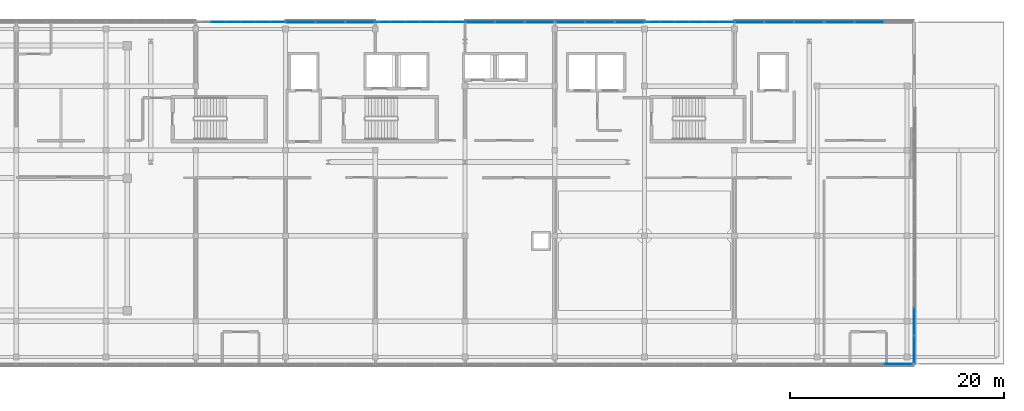
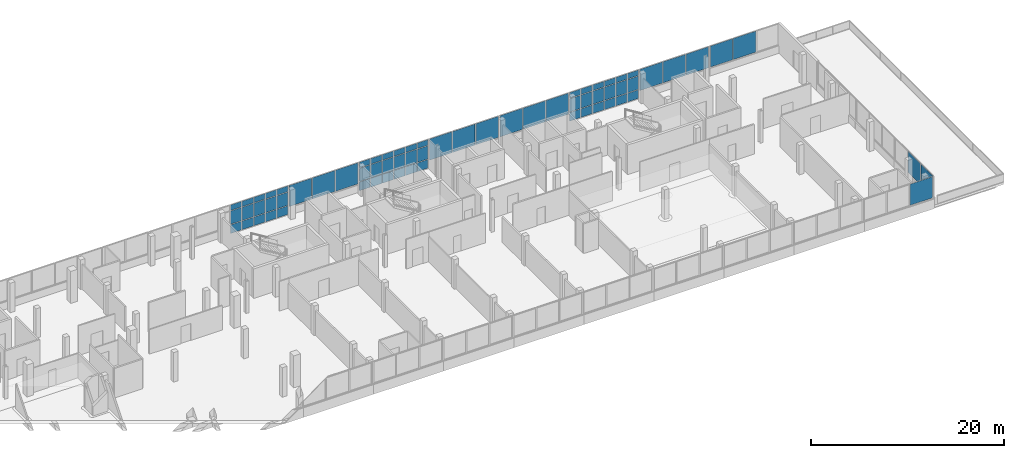
# One storey, part 54 of 67: 68 plates, 10 elements without a shape of their own.
"""IFC4 building model written with IfcOpenShell, lengths in metres."""

from ifc_helpers import new_model, si_unit, direction, frame, origin, origin_2d, place, context, subcontext, project, spatial, rectangle, extrude, material, layer, layer_set, type_object, element, aggregate, save


model = new_model("IFC4")

# Units and contexts
model_context = context("Model", 3, precision=1e-05, world=origin(), true_north=direction((0.0, 1.0)))
body_context = subcontext(model_context, "Body", "Model", "MODEL_VIEW")
ifc_project = project(units=[si_unit("LENGTHUNIT", "METRE"), si_unit("AREAUNIT", "SQUARE_METRE"), si_unit("VOLUMEUNIT", "CUBIC_METRE"), si_unit("PLANEANGLEUNIT", "RADIAN"), si_unit("MASSUNIT", "GRAM", prefix="KILO")], contexts=[model_context])

# Site, building, storey
site_placement = place(None, origin())
site = spatial("IfcSite", under=ifc_project, at=site_placement, CompositionType="ELEMENT")
building_placement = place(site_placement, origin())
building = spatial("IfcBuilding", under=site, at=building_placement, Name="Selatvlak General Hospital", CompositionType="ELEMENT")
storey_placement = place(building_placement, frame((0.0, 0.0, 35.39990234375)))
storey = spatial("IfcBuildingStorey", under=building, at=storey_placement, Name="L08", CompositionType="ELEMENT", Elevation=35.39990234375)

# Curtain wall, plates
ifc_material = material(Name="Solar-control Low-E double glazing", Category="glass")
curtain_wall_type_1 = type_object("IfcCurtainWallType", Name="CW-CW-04", PredefinedType="USERDEFINED", material=ifc_material)
curtain_wall_1_placement = place(storey_placement, origin())
curtain_wall_1 = element("IfcCurtainWall", 1, at=curtain_wall_1_placement, inside=storey, type_object=curtain_wall_type_1, Name="Glazed facade curtain wall CW-L08-0690", ObjectType="STICK GLAZING WALL", PredefinedType="USERDEFINED")
ifc_layer = layer(ifc_material, 0.028076171875, Name="Solar-control Low-E double glazing", Category="glass")
ifc_layer_set = layer_set([ifc_layer], Name="Solar-control Low-E double glazing")
plate_type = type_object("IfcPlateType", Name="CWP-01", PredefinedType="CURTAIN_PANEL", material=ifc_layer_set)
plate_1_placement = place(storey_placement, frame((92.107177734375, 119.999267578125, 0.065185546875), z_axis=(0.0, 0.0, 1.0), x_axis=(0.999999992861, 0.000119488591, 0.0)))
plate_1 = element("IfcPlate", 2, at=plate_1_placement, type_object=plate_type, Name="CW-04 panel 2.1", PredefinedType="CURTAIN_PANEL", context=body_context, shape_type="SweptSolid", body=[
    extrude(rectangle(XDim=1.329833984375, YDim=0.028076171875, at=origin_2d()), origin(), (0.0, 0.0, 1.0), 1.1025390625),
])
plate_2_placement = place(storey_placement, frame((92.107177734375, 119.999267578125, 1.232421875), z_axis=(0.0, 0.0, 1.0), x_axis=(0.999999992861, 0.000119488591, 0.0)))
plate_2 = element("IfcPlate", 3, at=plate_2_placement, type_object=plate_type, Name="CW-04 panel 2.2", PredefinedType="CURTAIN_PANEL", context=body_context, shape_type="SweptSolid", body=[
    extrude(rectangle(XDim=1.329833984375, YDim=0.028076171875, at=origin_2d()), origin(), (0.0, 0.0, 1.0), 1.675048828125),
])
plate_3_placement = place(storey_placement, frame((92.107177734375, 119.999267578125, 2.97265625), z_axis=(0.0, 0.0, 1.0), x_axis=(0.999999992861, 0.000119488591, 0.0)))
plate_3 = element("IfcPlate", 4, at=plate_3_placement, type_object=plate_type, Name="CW-04 panel 2.3", PredefinedType="CURTAIN_PANEL", context=body_context, shape_type="SweptSolid", body=[
    extrude(rectangle(XDim=1.329833984375, YDim=0.028076171875, at=origin_2d()), origin(), (0.0, 0.0, 1.0), 0.702392578125),
])
plate_4_placement = place(storey_placement, frame((93.502197265625, 119.99951171875, 0.065185546875), z_axis=(0.0, 0.0, 1.0), x_axis=(0.999999992861, 0.000119488591, 0.0)))
plate_4 = element("IfcPlate", 5, at=plate_4_placement, type_object=plate_type, Name="CW-04 panel 3.1", PredefinedType="CURTAIN_PANEL", context=body_context, shape_type="SweptSolid", body=[
    extrude(rectangle(XDim=1.329833984375, YDim=0.028076171875, at=origin_2d()), origin(), (0.0, 0.0, 1.0), 1.1025390625),
])
plate_5_placement = place(storey_placement, frame((93.502197265625, 119.99951171875, 1.232421875), z_axis=(0.0, 0.0, 1.0), x_axis=(0.999999992861, 0.000119488591, 0.0)))
plate_5 = element("IfcPlate", 6, at=plate_5_placement, type_object=plate_type, Name="CW-04 panel 3.2", PredefinedType="CURTAIN_PANEL", context=body_context, shape_type="SweptSolid", body=[
    extrude(rectangle(XDim=1.329833984375, YDim=0.028076171875, at=origin_2d()), origin(), (0.0, 0.0, 1.0), 1.675048828125),
])
plate_6_placement = place(storey_placement, frame((93.502197265625, 119.99951171875, 2.97265625), z_axis=(0.0, 0.0, 1.0), x_axis=(0.999999992861, 0.000119488591, 0.0)))
plate_6 = element("IfcPlate", 7, at=plate_6_placement, type_object=plate_type, Name="CW-04 panel 3.3", PredefinedType="CURTAIN_PANEL", context=body_context, shape_type="SweptSolid", body=[
    extrude(rectangle(XDim=1.329833984375, YDim=0.028076171875, at=origin_2d()), origin(), (0.0, 0.0, 1.0), 0.702392578125),
])
plate_7_placement = place(storey_placement, frame((94.89697265625, 119.99951171875, 0.065185546875), z_axis=(0.0, 0.0, 1.0), x_axis=(0.999999992861, 0.000119488591, 0.0)))
plate_7 = element("IfcPlate", 8, at=plate_7_placement, type_object=plate_type, Name="CW-04 panel 4.1", PredefinedType="CURTAIN_PANEL", context=body_context, shape_type="SweptSolid", body=[
    extrude(rectangle(XDim=1.329833984375, YDim=0.028076171875, at=origin_2d()), origin(), (0.0, 0.0, 1.0), 1.1025390625),
])
plate_8_placement = place(storey_placement, frame((94.89697265625, 119.99951171875, 1.232421875), z_axis=(0.0, 0.0, 1.0), x_axis=(0.999999992861, 0.000119488591, 0.0)))
plate_8 = element("IfcPlate", 9, at=plate_8_placement, type_object=plate_type, Name="CW-04 panel 4.2", PredefinedType="CURTAIN_PANEL", context=body_context, shape_type="SweptSolid", body=[
    extrude(rectangle(XDim=1.329833984375, YDim=0.028076171875, at=origin_2d()), origin(), (0.0, 0.0, 1.0), 1.675048828125),
])
plate_9_placement = place(storey_placement, frame((94.89697265625, 119.99951171875, 2.97265625), z_axis=(0.0, 0.0, 1.0), x_axis=(0.999999992861, 0.000119488591, 0.0)))
plate_9 = element("IfcPlate", 10, at=plate_9_placement, type_object=plate_type, Name="CW-04 panel 4.3", PredefinedType="CURTAIN_PANEL", context=body_context, shape_type="SweptSolid", body=[
    extrude(rectangle(XDim=1.329833984375, YDim=0.028076171875, at=origin_2d()), origin(), (0.0, 0.0, 1.0), 0.702392578125),
])
plate_10_placement = place(storey_placement, frame((96.291748046875, 119.999755859375, 0.065185546875), z_axis=(0.0, 0.0, 1.0), x_axis=(0.999999992861, 0.000119488591, 0.0)))
plate_10 = element("IfcPlate", 11, at=plate_10_placement, type_object=plate_type, Name="CW-04 panel 5.1", PredefinedType="CURTAIN_PANEL", context=body_context, shape_type="SweptSolid", body=[
    extrude(rectangle(XDim=1.329833984375, YDim=0.028076171875, at=origin_2d()), origin(), (0.0, 0.0, 1.0), 1.1025390625),
])
plate_11_placement = place(storey_placement, frame((96.291748046875, 119.999755859375, 1.232421875), z_axis=(0.0, 0.0, 1.0), x_axis=(0.999999992861, 0.000119488591, 0.0)))
plate_11 = element("IfcPlate", 12, at=plate_11_placement, type_object=plate_type, Name="CW-04 panel 5.2", PredefinedType="CURTAIN_PANEL", context=body_context, shape_type="SweptSolid", body=[
    extrude(rectangle(XDim=1.329833984375, YDim=0.028076171875, at=origin_2d()), origin(), (0.0, 0.0, 1.0), 1.675048828125),
])
plate_12_placement = place(storey_placement, frame((96.291748046875, 119.999755859375, 2.97265625), z_axis=(0.0, 0.0, 1.0), x_axis=(0.999999992861, 0.000119488591, 0.0)))
plate_12 = element("IfcPlate", 13, at=plate_12_placement, type_object=plate_type, Name="CW-04 panel 5.3", PredefinedType="CURTAIN_PANEL", context=body_context, shape_type="SweptSolid", body=[
    extrude(rectangle(XDim=1.329833984375, YDim=0.028076171875, at=origin_2d()), origin(), (0.0, 0.0, 1.0), 0.702392578125),
])
plate_13_placement = place(storey_placement, frame((97.67041015625, 120.0, 0.065185546875), z_axis=(0.0, 0.0, 1.0), x_axis=(0.999999992861, 0.000119488591, 0.0)))
plate_13 = element("IfcPlate", 14, at=plate_13_placement, type_object=plate_type, Name="CW-04 panel 6.1", PredefinedType="CURTAIN_PANEL", context=body_context, shape_type="SweptSolid", body=[
    extrude(rectangle(XDim=1.29736328125, YDim=0.028076171875, at=origin_2d()), origin(), (0.0, 0.0, 1.0), 1.1025390625),
])
plate_14_placement = place(storey_placement, frame((97.67041015625, 120.0, 1.232421875), z_axis=(0.0, 0.0, 1.0), x_axis=(0.999999992861, 0.000119488591, 0.0)))
plate_14 = element("IfcPlate", 15, at=plate_14_placement, type_object=plate_type, Name="CW-04 panel 6.2", PredefinedType="CURTAIN_PANEL", context=body_context, shape_type="SweptSolid", body=[
    extrude(rectangle(XDim=1.29736328125, YDim=0.028076171875, at=origin_2d()), origin(), (0.0, 0.0, 1.0), 1.675048828125),
])
plate_15_placement = place(storey_placement, frame((97.67041015625, 120.0, 2.97265625), z_axis=(0.0, 0.0, 1.0), x_axis=(0.999999992861, 0.000119488591, 0.0)))
plate_15 = element("IfcPlate", 16, at=plate_15_placement, type_object=plate_type, Name="CW-04 panel 6.3", PredefinedType="CURTAIN_PANEL", context=body_context, shape_type="SweptSolid", body=[
    extrude(rectangle(XDim=1.29736328125, YDim=0.028076171875, at=origin_2d()), origin(), (0.0, 0.0, 1.0), 0.702392578125),
])
aggregate(curtain_wall_1, [plate_1, plate_2, plate_3, plate_4, plate_5, plate_6, plate_7, plate_8, plate_9, plate_10, plate_11, plate_12, plate_13, plate_14, plate_15])

curtain_wall_type_2 = type_object("IfcCurtainWallType", Name="CW-CW-02", PredefinedType="USERDEFINED", material=ifc_material)
curtain_wall_2_placement = place(storey_placement, origin())
curtain_wall_2 = element("IfcCurtainWall", 17, at=curtain_wall_2_placement, inside=storey, type_object=curtain_wall_type_2, Name="Glazed facade curtain wall CW-L08-0691", ObjectType="UNITISED CURTAIN WALL", PredefinedType="USERDEFINED")
plate_16_placement = place(storey_placement, frame((99.8251953125, 120.0, 1.005126953125), z_axis=(0.0, 0.0, 1.0), x_axis=(1.0, 0.0, 0.0)))
plate_16 = element("IfcPlate", 18, at=plate_16_placement, type_object=plate_type, Name="CW-02 panel 1.1", PredefinedType="CURTAIN_PANEL", context=body_context, shape_type="SweptSolid", body=[
    extrude(rectangle(XDim=2.6923828125, YDim=0.028076171875, at=origin_2d()), origin(), (0.0, 0.0, 1.0), 2.669921875),
])
plate_17_placement = place(storey_placement, frame((102.59912109375, 120.0, 1.005126953125), z_axis=(0.0, 0.0, 1.0), x_axis=(1.0, 0.0, 0.0)))
plate_17 = element("IfcPlate", 19, at=plate_17_placement, type_object=plate_type, Name="CW-02 panel 2.1", PredefinedType="CURTAIN_PANEL", context=body_context, shape_type="SweptSolid", body=[
    extrude(rectangle(XDim=2.72509765625, YDim=0.028076171875, at=origin_2d()), origin(), (0.0, 0.0, 1.0), 2.669921875),
])
plate_18_placement = place(storey_placement, frame((105.372802734375, 120.0, 1.005126953125), z_axis=(0.0, 0.0, 1.0), x_axis=(1.0, 0.0, 0.0)))
plate_18 = element("IfcPlate", 20, at=plate_18_placement, type_object=plate_type, Name="CW-02 panel 3.1", PredefinedType="CURTAIN_PANEL", context=body_context, shape_type="SweptSolid", body=[
    extrude(rectangle(XDim=2.6923828125, YDim=0.028076171875, at=origin_2d()), origin(), (0.0, 0.0, 1.0), 2.669921875),
])
aggregate(curtain_wall_2, [plate_16, plate_17, plate_18])

curtain_wall_3_placement = place(storey_placement, origin())
curtain_wall_3 = element("IfcCurtainWall", 21, at=curtain_wall_3_placement, inside=storey, type_object=curtain_wall_type_1, Name="Glazed facade curtain wall CW-L08-0692", ObjectType="STICK GLAZING WALL", PredefinedType="USERDEFINED")
plate_19_placement = place(storey_placement, frame((107.52783203125, 120.0, 0.065185546875), z_axis=(0.0, 0.0, 1.0), x_axis=(1.0, 0.0, 0.0)))
plate_19 = element("IfcPlate", 22, at=plate_19_placement, type_object=plate_type, Name="CW-04 panel 1.1", PredefinedType="CURTAIN_PANEL", context=body_context, shape_type="SweptSolid", body=[
    extrude(rectangle(XDim=1.297607421875, YDim=0.028076171875, at=origin_2d()), origin(), (0.0, 0.0, 1.0), 1.1025390625),
])
plate_20_placement = place(storey_placement, frame((107.52783203125, 120.0, 1.232421875), z_axis=(0.0, 0.0, 1.0), x_axis=(1.0, 0.0, 0.0)))
plate_20 = element("IfcPlate", 23, at=plate_20_placement, type_object=plate_type, Name="CW-04 panel 1.2", PredefinedType="CURTAIN_PANEL", context=body_context, shape_type="SweptSolid", body=[
    extrude(rectangle(XDim=1.297607421875, YDim=0.028076171875, at=origin_2d()), origin(), (0.0, 0.0, 1.0), 1.675048828125),
])
plate_21_placement = place(storey_placement, frame((107.52783203125, 120.0, 2.97265625), z_axis=(0.0, 0.0, 1.0), x_axis=(1.0, 0.0, 0.0)))
plate_21 = element("IfcPlate", 24, at=plate_21_placement, type_object=plate_type, Name="CW-04 panel 1.3", PredefinedType="CURTAIN_PANEL", context=body_context, shape_type="SweptSolid", body=[
    extrude(rectangle(XDim=1.297607421875, YDim=0.028076171875, at=origin_2d()), origin(), (0.0, 0.0, 1.0), 0.702392578125),
])
plate_22_placement = place(storey_placement, frame((108.906494140625, 120.0, 0.065185546875), z_axis=(0.0, 0.0, 1.0), x_axis=(1.0, 0.0, 0.0)))
plate_22 = element("IfcPlate", 25, at=plate_22_placement, type_object=plate_type, Name="CW-04 panel 2.1", PredefinedType="CURTAIN_PANEL", context=body_context, shape_type="SweptSolid", body=[
    extrude(rectangle(XDim=1.330078125, YDim=0.028076171875, at=origin_2d()), origin(), (0.0, 0.0, 1.0), 1.1025390625),
])
plate_23_placement = place(storey_placement, frame((108.906494140625, 120.0, 1.232421875), z_axis=(0.0, 0.0, 1.0), x_axis=(1.0, 0.0, 0.0)))
plate_23 = element("IfcPlate", 26, at=plate_23_placement, type_object=plate_type, Name="CW-04 panel 2.2", PredefinedType="CURTAIN_PANEL", context=body_context, shape_type="SweptSolid", body=[
    extrude(rectangle(XDim=1.330078125, YDim=0.028076171875, at=origin_2d()), origin(), (0.0, 0.0, 1.0), 1.675048828125),
])
plate_24_placement = place(storey_placement, frame((108.906494140625, 120.0, 2.97265625), z_axis=(0.0, 0.0, 1.0), x_axis=(1.0, 0.0, 0.0)))
plate_24 = element("IfcPlate", 27, at=plate_24_placement, type_object=plate_type, Name="CW-04 panel 2.3", PredefinedType="CURTAIN_PANEL", context=body_context, shape_type="SweptSolid", body=[
    extrude(rectangle(XDim=1.330078125, YDim=0.028076171875, at=origin_2d()), origin(), (0.0, 0.0, 1.0), 0.702392578125),
])
plate_25_placement = place(storey_placement, frame((110.301513671875, 120.0, 0.065185546875), z_axis=(0.0, 0.0, 1.0), x_axis=(1.0, 0.0, 0.0)))
plate_25 = element("IfcPlate", 28, at=plate_25_placement, type_object=plate_type, Name="CW-04 panel 3.1", PredefinedType="CURTAIN_PANEL", context=body_context, shape_type="SweptSolid", body=[
    extrude(rectangle(XDim=1.330078125, YDim=0.028076171875, at=origin_2d()), origin(), (0.0, 0.0, 1.0), 1.1025390625),
])
plate_26_placement = place(storey_placement, frame((110.301513671875, 120.0, 1.232421875), z_axis=(0.0, 0.0, 1.0), x_axis=(1.0, 0.0, 0.0)))
plate_26 = element("IfcPlate", 29, at=plate_26_placement, type_object=plate_type, Name="CW-04 panel 3.2", PredefinedType="CURTAIN_PANEL", context=body_context, shape_type="SweptSolid", body=[
    extrude(rectangle(XDim=1.330078125, YDim=0.028076171875, at=origin_2d()), origin(), (0.0, 0.0, 1.0), 1.675048828125),
])
plate_27_placement = place(storey_placement, frame((110.301513671875, 120.0, 2.97265625), z_axis=(0.0, 0.0, 1.0), x_axis=(1.0, 0.0, 0.0)))
plate_27 = element("IfcPlate", 30, at=plate_27_placement, type_object=plate_type, Name="CW-04 panel 3.3", PredefinedType="CURTAIN_PANEL", context=body_context, shape_type="SweptSolid", body=[
    extrude(rectangle(XDim=1.330078125, YDim=0.028076171875, at=origin_2d()), origin(), (0.0, 0.0, 1.0), 0.702392578125),
])
plate_28_placement = place(storey_placement, frame((111.696533203125, 120.0, 0.065185546875), z_axis=(0.0, 0.0, 1.0), x_axis=(1.0, 0.0, 0.0)))
plate_28 = element("IfcPlate", 31, at=plate_28_placement, type_object=plate_type, Name="CW-04 panel 4.1", PredefinedType="CURTAIN_PANEL", context=body_context, shape_type="SweptSolid", body=[
    extrude(rectangle(XDim=1.330078125, YDim=0.028076171875, at=origin_2d()), origin(), (0.0, 0.0, 1.0), 1.1025390625),
])
plate_29_placement = place(storey_placement, frame((111.696533203125, 120.0, 1.232421875), z_axis=(0.0, 0.0, 1.0), x_axis=(1.0, 0.0, 0.0)))
plate_29 = element("IfcPlate", 32, at=plate_29_placement, type_object=plate_type, Name="CW-04 panel 4.2", PredefinedType="CURTAIN_PANEL", context=body_context, shape_type="SweptSolid", body=[
    extrude(rectangle(XDim=1.330078125, YDim=0.028076171875, at=origin_2d()), origin(), (0.0, 0.0, 1.0), 1.675048828125),
])
plate_30_placement = place(storey_placement, frame((111.696533203125, 120.0, 2.97265625), z_axis=(0.0, 0.0, 1.0), x_axis=(1.0, 0.0, 0.0)))
plate_30 = element("IfcPlate", 33, at=plate_30_placement, type_object=plate_type, Name="CW-04 panel 4.3", PredefinedType="CURTAIN_PANEL", context=body_context, shape_type="SweptSolid", body=[
    extrude(rectangle(XDim=1.330078125, YDim=0.028076171875, at=origin_2d()), origin(), (0.0, 0.0, 1.0), 0.702392578125),
])
plate_31_placement = place(storey_placement, frame((113.091552734375, 120.0, 0.065185546875), z_axis=(0.0, 0.0, 1.0), x_axis=(1.0, 0.0, 0.0)))
plate_31 = element("IfcPlate", 34, at=plate_31_placement, type_object=plate_type, Name="CW-04 panel 5.1", PredefinedType="CURTAIN_PANEL", context=body_context, shape_type="SweptSolid", body=[
    extrude(rectangle(XDim=1.330078125, YDim=0.028076171875, at=origin_2d()), origin(), (0.0, 0.0, 1.0), 1.1025390625),
])
plate_32_placement = place(storey_placement, frame((113.091552734375, 120.0, 1.232421875), z_axis=(0.0, 0.0, 1.0), x_axis=(1.0, 0.0, 0.0)))
plate_32 = element("IfcPlate", 35, at=plate_32_placement, type_object=plate_type, Name="CW-04 panel 5.2", PredefinedType="CURTAIN_PANEL", context=body_context, shape_type="SweptSolid", body=[
    extrude(rectangle(XDim=1.330078125, YDim=0.028076171875, at=origin_2d()), origin(), (0.0, 0.0, 1.0), 1.675048828125),
])
plate_33_placement = place(storey_placement, frame((113.091552734375, 120.0, 2.97265625), z_axis=(0.0, 0.0, 1.0), x_axis=(1.0, 0.0, 0.0)))
plate_33 = element("IfcPlate", 36, at=plate_33_placement, type_object=plate_type, Name="CW-04 panel 5.3", PredefinedType="CURTAIN_PANEL", context=body_context, shape_type="SweptSolid", body=[
    extrude(rectangle(XDim=1.330078125, YDim=0.028076171875, at=origin_2d()), origin(), (0.0, 0.0, 1.0), 0.702392578125),
])
plate_34_placement = place(storey_placement, frame((114.47021484375, 120.0, 0.065185546875), z_axis=(0.0, 0.0, 1.0), x_axis=(1.0, 0.0, 0.0)))
plate_34 = element("IfcPlate", 37, at=plate_34_placement, type_object=plate_type, Name="CW-04 panel 6.1", PredefinedType="CURTAIN_PANEL", context=body_context, shape_type="SweptSolid", body=[
    extrude(rectangle(XDim=1.297607421875, YDim=0.028076171875, at=origin_2d()), origin(), (0.0, 0.0, 1.0), 1.1025390625),
])
plate_35_placement = place(storey_placement, frame((114.47021484375, 120.0, 1.232421875), z_axis=(0.0, 0.0, 1.0), x_axis=(1.0, 0.0, 0.0)))
plate_35 = element("IfcPlate", 38, at=plate_35_placement, type_object=plate_type, Name="CW-04 panel 6.2", PredefinedType="CURTAIN_PANEL", context=body_context, shape_type="SweptSolid", body=[
    extrude(rectangle(XDim=1.297607421875, YDim=0.028076171875, at=origin_2d()), origin(), (0.0, 0.0, 1.0), 1.675048828125),
])
plate_36_placement = place(storey_placement, frame((114.47021484375, 120.0, 2.97265625), z_axis=(0.0, 0.0, 1.0), x_axis=(1.0, 0.0, 0.0)))
plate_36 = element("IfcPlate", 39, at=plate_36_placement, type_object=plate_type, Name="CW-04 panel 6.3", PredefinedType="CURTAIN_PANEL", context=body_context, shape_type="SweptSolid", body=[
    extrude(rectangle(XDim=1.297607421875, YDim=0.028076171875, at=origin_2d()), origin(), (0.0, 0.0, 1.0), 0.702392578125),
])
aggregate(curtain_wall_3, [plate_19, plate_20, plate_21, plate_22, plate_23, plate_24, plate_25, plate_26, plate_27, plate_28, plate_29, plate_30, plate_31, plate_32, plate_33, plate_34, plate_35, plate_36])

curtain_wall_4_placement = place(storey_placement, origin())
curtain_wall_4 = element("IfcCurtainWall", 40, at=curtain_wall_4_placement, inside=storey, type_object=curtain_wall_type_2, Name="Glazed facade curtain wall CW-L08-0693", ObjectType="UNITISED CURTAIN WALL", PredefinedType="USERDEFINED")
plate_37_placement = place(storey_placement, frame((116.625244140625, 120.0, 1.005126953125), z_axis=(0.0, 0.0, 1.0), x_axis=(1.0, 0.0, 0.0)))
plate_37 = element("IfcPlate", 41, at=plate_37_placement, type_object=plate_type, Name="CW-02 panel 1.1", PredefinedType="CURTAIN_PANEL", context=body_context, shape_type="SweptSolid", body=[
    extrude(rectangle(XDim=2.6923828125, YDim=0.028076171875, at=origin_2d()), origin(), (0.0, 0.0, 1.0), 2.669921875),
])
plate_38_placement = place(storey_placement, frame((119.39892578125, 120.0, 1.005126953125), z_axis=(0.0, 0.0, 1.0), x_axis=(1.0, 0.0, 0.0)))
plate_38 = element("IfcPlate", 42, at=plate_38_placement, type_object=plate_type, Name="CW-02 panel 2.1", PredefinedType="CURTAIN_PANEL", context=body_context, shape_type="SweptSolid", body=[
    extrude(rectangle(XDim=2.72509765625, YDim=0.028076171875, at=origin_2d()), origin(), (0.0, 0.0, 1.0), 2.669921875),
])
plate_39_placement = place(storey_placement, frame((122.1728515625, 120.0, 1.005126953125), z_axis=(0.0, 0.0, 1.0), x_axis=(1.0, 0.0, 0.0)))
plate_39 = element("IfcPlate", 43, at=plate_39_placement, type_object=plate_type, Name="CW-02 panel 3.1", PredefinedType="CURTAIN_PANEL", context=body_context, shape_type="SweptSolid", body=[
    extrude(rectangle(XDim=2.6923828125, YDim=0.028076171875, at=origin_2d()), origin(), (0.0, 0.0, 1.0), 2.669921875),
])
aggregate(curtain_wall_4, [plate_37, plate_38, plate_39])

curtain_wall_type_3 = type_object("IfcCurtainWallType", Name="CW-CW-01", PredefinedType="USERDEFINED", material=ifc_material)
curtain_wall_5_placement = place(storey_placement, origin())
curtain_wall_5 = element("IfcCurtainWall", 44, at=curtain_wall_5_placement, inside=storey, type_object=curtain_wall_type_3, Name="Glazed facade curtain wall CW-L08-0694", ObjectType="UNITISED CURTAIN WALL", PredefinedType="USERDEFINED")
plate_40_placement = place(storey_placement, frame((125.06689453125, 120.0, 1.005126953125), z_axis=(0.0, 0.0, 1.0), x_axis=(1.0, 0.0, 0.0)))
plate_40 = element("IfcPlate", 45, at=plate_40_placement, type_object=plate_type, Name="CW-01 panel 1.1", PredefinedType="CURTAIN_PANEL", context=body_context, shape_type="SweptSolid", body=[
    extrude(rectangle(XDim=2.67578125, YDim=0.028076171875, at=origin_2d()), origin(), (0.0, 0.0, 1.0), 2.669921875),
])
plate_41_placement = place(storey_placement, frame((127.823974609375, 120.0, 1.005126953125), z_axis=(0.0, 0.0, 1.0), x_axis=(1.0, 0.0, 0.0)))
plate_41 = element("IfcPlate", 46, at=plate_41_placement, type_object=plate_type, Name="CW-01 panel 2.1", PredefinedType="CURTAIN_PANEL", context=body_context, shape_type="SweptSolid", body=[
    extrude(rectangle(XDim=2.708251953125, YDim=0.028076171875, at=origin_2d()), origin(), (0.0, 0.0, 1.0), 2.669921875),
])
plate_42_placement = place(storey_placement, frame((130.5810546875, 120.0, 1.005126953125), z_axis=(0.0, 0.0, 1.0), x_axis=(1.0, 0.0, 0.0)))
plate_42 = element("IfcPlate", 47, at=plate_42_placement, type_object=plate_type, Name="CW-01 panel 3.1", PredefinedType="CURTAIN_PANEL", context=body_context, shape_type="SweptSolid", body=[
    extrude(rectangle(XDim=2.67578125, YDim=0.028076171875, at=origin_2d()), origin(), (0.0, 0.0, 1.0), 2.669921875),
])
aggregate(curtain_wall_5, [plate_40, plate_41, plate_42])

curtain_wall_6_placement = place(storey_placement, origin())
curtain_wall_6 = element("IfcCurtainWall", 48, at=curtain_wall_6_placement, inside=storey, type_object=curtain_wall_type_1, Name="Glazed facade curtain wall CW-L08-0695", ObjectType="STICK GLAZING WALL", PredefinedType="USERDEFINED")
plate_43_placement = place(storey_placement, frame((132.727783203125, 120.0, 0.065185546875), z_axis=(0.0, 0.0, 1.0), x_axis=(1.0, 0.0, 0.0)))
plate_43 = element("IfcPlate", 49, at=plate_43_placement, type_object=plate_type, Name="CW-04 panel 1.1", PredefinedType="CURTAIN_PANEL", context=body_context, shape_type="SweptSolid", body=[
    extrude(rectangle(XDim=1.297607421875, YDim=0.028076171875, at=origin_2d()), origin(), (0.0, 0.0, 1.0), 1.1025390625),
])
plate_44_placement = place(storey_placement, frame((132.727783203125, 120.0, 1.232421875), z_axis=(0.0, 0.0, 1.0), x_axis=(1.0, 0.0, 0.0)))
plate_44 = element("IfcPlate", 50, at=plate_44_placement, type_object=plate_type, Name="CW-04 panel 1.2", PredefinedType="CURTAIN_PANEL", context=body_context, shape_type="SweptSolid", body=[
    extrude(rectangle(XDim=1.297607421875, YDim=0.028076171875, at=origin_2d()), origin(), (0.0, 0.0, 1.0), 1.675048828125),
])
plate_45_placement = place(storey_placement, frame((132.727783203125, 120.0, 2.97265625), z_axis=(0.0, 0.0, 1.0), x_axis=(1.0, 0.0, 0.0)))
plate_45 = element("IfcPlate", 51, at=plate_45_placement, type_object=plate_type, Name="CW-04 panel 1.3", PredefinedType="CURTAIN_PANEL", context=body_context, shape_type="SweptSolid", body=[
    extrude(rectangle(XDim=1.297607421875, YDim=0.028076171875, at=origin_2d()), origin(), (0.0, 0.0, 1.0), 0.702392578125),
])
plate_46_placement = place(storey_placement, frame((134.1064453125, 120.0, 0.065185546875), z_axis=(0.0, 0.0, 1.0), x_axis=(1.0, 0.0, 0.0)))
plate_46 = element("IfcPlate", 52, at=plate_46_placement, type_object=plate_type, Name="CW-04 panel 2.1", PredefinedType="CURTAIN_PANEL", context=body_context, shape_type="SweptSolid", body=[
    extrude(rectangle(XDim=1.330078125, YDim=0.028076171875, at=origin_2d()), origin(), (0.0, 0.0, 1.0), 1.1025390625),
])
plate_47_placement = place(storey_placement, frame((134.1064453125, 120.0, 1.232421875), z_axis=(0.0, 0.0, 1.0), x_axis=(1.0, 0.0, 0.0)))
plate_47 = element("IfcPlate", 53, at=plate_47_placement, type_object=plate_type, Name="CW-04 panel 2.2", PredefinedType="CURTAIN_PANEL", context=body_context, shape_type="SweptSolid", body=[
    extrude(rectangle(XDim=1.330078125, YDim=0.028076171875, at=origin_2d()), origin(), (0.0, 0.0, 1.0), 1.675048828125),
])
plate_48_placement = place(storey_placement, frame((134.1064453125, 120.0, 2.97265625), z_axis=(0.0, 0.0, 1.0), x_axis=(1.0, 0.0, 0.0)))
plate_48 = element("IfcPlate", 54, at=plate_48_placement, type_object=plate_type, Name="CW-04 panel 2.3", PredefinedType="CURTAIN_PANEL", context=body_context, shape_type="SweptSolid", body=[
    extrude(rectangle(XDim=1.330078125, YDim=0.028076171875, at=origin_2d()), origin(), (0.0, 0.0, 1.0), 0.702392578125),
])
plate_49_placement = place(storey_placement, frame((135.50146484375, 120.0, 0.065185546875), z_axis=(0.0, 0.0, 1.0), x_axis=(1.0, 0.0, 0.0)))
plate_49 = element("IfcPlate", 55, at=plate_49_placement, type_object=plate_type, Name="CW-04 panel 3.1", PredefinedType="CURTAIN_PANEL", context=body_context, shape_type="SweptSolid", body=[
    extrude(rectangle(XDim=1.330078125, YDim=0.028076171875, at=origin_2d()), origin(), (0.0, 0.0, 1.0), 1.1025390625),
])
plate_50_placement = place(storey_placement, frame((135.50146484375, 120.0, 1.232421875), z_axis=(0.0, 0.0, 1.0), x_axis=(1.0, 0.0, 0.0)))
plate_50 = element("IfcPlate", 56, at=plate_50_placement, type_object=plate_type, Name="CW-04 panel 3.2", PredefinedType="CURTAIN_PANEL", context=body_context, shape_type="SweptSolid", body=[
    extrude(rectangle(XDim=1.330078125, YDim=0.028076171875, at=origin_2d()), origin(), (0.0, 0.0, 1.0), 1.675048828125),
])
plate_51_placement = place(storey_placement, frame((135.50146484375, 120.0, 2.97265625), z_axis=(0.0, 0.0, 1.0), x_axis=(1.0, 0.0, 0.0)))
plate_51 = element("IfcPlate", 57, at=plate_51_placement, type_object=plate_type, Name="CW-04 panel 3.3", PredefinedType="CURTAIN_PANEL", context=body_context, shape_type="SweptSolid", body=[
    extrude(rectangle(XDim=1.330078125, YDim=0.028076171875, at=origin_2d()), origin(), (0.0, 0.0, 1.0), 0.702392578125),
])
plate_52_placement = place(storey_placement, frame((136.896484375, 120.0, 0.065185546875), z_axis=(0.0, 0.0, 1.0), x_axis=(1.0, 0.0, 0.0)))
plate_52 = element("IfcPlate", 58, at=plate_52_placement, type_object=plate_type, Name="CW-04 panel 4.1", PredefinedType="CURTAIN_PANEL", context=body_context, shape_type="SweptSolid", body=[
    extrude(rectangle(XDim=1.330078125, YDim=0.028076171875, at=origin_2d()), origin(), (0.0, 0.0, 1.0), 1.1025390625),
])
plate_53_placement = place(storey_placement, frame((136.896484375, 120.0, 1.232421875), z_axis=(0.0, 0.0, 1.0), x_axis=(1.0, 0.0, 0.0)))
plate_53 = element("IfcPlate", 59, at=plate_53_placement, type_object=plate_type, Name="CW-04 panel 4.2", PredefinedType="CURTAIN_PANEL", context=body_context, shape_type="SweptSolid", body=[
    extrude(rectangle(XDim=1.330078125, YDim=0.028076171875, at=origin_2d()), origin(), (0.0, 0.0, 1.0), 1.675048828125),
])
plate_54_placement = place(storey_placement, frame((136.896484375, 120.0, 2.97265625), z_axis=(0.0, 0.0, 1.0), x_axis=(1.0, 0.0, 0.0)))
plate_54 = element("IfcPlate", 60, at=plate_54_placement, type_object=plate_type, Name="CW-04 panel 4.3", PredefinedType="CURTAIN_PANEL", context=body_context, shape_type="SweptSolid", body=[
    extrude(rectangle(XDim=1.330078125, YDim=0.028076171875, at=origin_2d()), origin(), (0.0, 0.0, 1.0), 0.702392578125),
])
plate_55_placement = place(storey_placement, frame((138.29150390625, 120.0, 0.065185546875), z_axis=(0.0, 0.0, 1.0), x_axis=(1.0, 0.0, 0.0)))
plate_55 = element("IfcPlate", 61, at=plate_55_placement, type_object=plate_type, Name="CW-04 panel 5.1", PredefinedType="CURTAIN_PANEL", context=body_context, shape_type="SweptSolid", body=[
    extrude(rectangle(XDim=1.330078125, YDim=0.028076171875, at=origin_2d()), origin(), (0.0, 0.0, 1.0), 1.1025390625),
])
plate_56_placement = place(storey_placement, frame((138.29150390625, 120.0, 1.232421875), z_axis=(0.0, 0.0, 1.0), x_axis=(1.0, 0.0, 0.0)))
plate_56 = element("IfcPlate", 62, at=plate_56_placement, type_object=plate_type, Name="CW-04 panel 5.2", PredefinedType="CURTAIN_PANEL", context=body_context, shape_type="SweptSolid", body=[
    extrude(rectangle(XDim=1.330078125, YDim=0.028076171875, at=origin_2d()), origin(), (0.0, 0.0, 1.0), 1.675048828125),
])
plate_57_placement = place(storey_placement, frame((138.29150390625, 120.0, 2.97265625), z_axis=(0.0, 0.0, 1.0), x_axis=(1.0, 0.0, 0.0)))
plate_57 = element("IfcPlate", 63, at=plate_57_placement, type_object=plate_type, Name="CW-04 panel 5.3", PredefinedType="CURTAIN_PANEL", context=body_context, shape_type="SweptSolid", body=[
    extrude(rectangle(XDim=1.330078125, YDim=0.028076171875, at=origin_2d()), origin(), (0.0, 0.0, 1.0), 0.702392578125),
])
plate_58_placement = place(storey_placement, frame((139.670166015625, 120.0, 0.065185546875), z_axis=(0.0, 0.0, 1.0), x_axis=(1.0, 0.0, 0.0)))
plate_58 = element("IfcPlate", 64, at=plate_58_placement, type_object=plate_type, Name="CW-04 panel 6.1", PredefinedType="CURTAIN_PANEL", context=body_context, shape_type="SweptSolid", body=[
    extrude(rectangle(XDim=1.297607421875, YDim=0.028076171875, at=origin_2d()), origin(), (0.0, 0.0, 1.0), 1.1025390625),
])
plate_59_placement = place(storey_placement, frame((139.670166015625, 120.0, 1.232421875), z_axis=(0.0, 0.0, 1.0), x_axis=(1.0, 0.0, 0.0)))
plate_59 = element("IfcPlate", 65, at=plate_59_placement, type_object=plate_type, Name="CW-04 panel 6.2", PredefinedType="CURTAIN_PANEL", context=body_context, shape_type="SweptSolid", body=[
    extrude(rectangle(XDim=1.297607421875, YDim=0.028076171875, at=origin_2d()), origin(), (0.0, 0.0, 1.0), 1.675048828125),
])
plate_60_placement = place(storey_placement, frame((139.670166015625, 120.0, 2.97265625), z_axis=(0.0, 0.0, 1.0), x_axis=(1.0, 0.0, 0.0)))
plate_60 = element("IfcPlate", 66, at=plate_60_placement, type_object=plate_type, Name="CW-04 panel 6.3", PredefinedType="CURTAIN_PANEL", context=body_context, shape_type="SweptSolid", body=[
    extrude(rectangle(XDim=1.297607421875, YDim=0.028076171875, at=origin_2d()), origin(), (0.0, 0.0, 1.0), 0.702392578125),
])
aggregate(curtain_wall_6, [plate_43, plate_44, plate_45, plate_46, plate_47, plate_48, plate_49, plate_50, plate_51, plate_52, plate_53, plate_54, plate_55, plate_56, plate_57, plate_58, plate_59, plate_60])

curtain_wall_7_placement = place(storey_placement, origin())
curtain_wall_7 = element("IfcCurtainWall", 67, at=curtain_wall_7_placement, inside=storey, type_object=curtain_wall_type_3, Name="Glazed facade curtain wall CW-L08-0696", ObjectType="UNITISED CURTAIN WALL", PredefinedType="USERDEFINED")
plate_61_placement = place(storey_placement, frame((141.8251953125, 120.0, 1.005126953125), z_axis=(0.0, 0.0, 1.0), x_axis=(1.0, 0.0, 0.0)))
plate_61 = element("IfcPlate", 68, at=plate_61_placement, type_object=plate_type, Name="CW-01 panel 1.1", PredefinedType="CURTAIN_PANEL", context=body_context, shape_type="SweptSolid", body=[
    extrude(rectangle(XDim=2.6923828125, YDim=0.028076171875, at=origin_2d()), origin(), (0.0, 0.0, 1.0), 2.669921875),
])
plate_62_placement = place(storey_placement, frame((144.59912109375, 120.0, 1.005126953125), z_axis=(0.0, 0.0, 1.0), x_axis=(1.0, 0.0, 0.0)))
plate_62 = element("IfcPlate", 69, at=plate_62_placement, type_object=plate_type, Name="CW-01 panel 2.1", PredefinedType="CURTAIN_PANEL", context=body_context, shape_type="SweptSolid", body=[
    extrude(rectangle(XDim=2.72509765625, YDim=0.028076171875, at=origin_2d()), origin(), (0.0, 0.0, 1.0), 2.669921875),
])
plate_63_placement = place(storey_placement, frame((147.372802734375, 120.0, 1.005126953125), z_axis=(0.0, 0.0, 1.0), x_axis=(1.0, 0.0, 0.0)))
plate_63 = element("IfcPlate", 70, at=plate_63_placement, type_object=plate_type, Name="CW-01 panel 3.1", PredefinedType="CURTAIN_PANEL", context=body_context, shape_type="SweptSolid", body=[
    extrude(rectangle(XDim=2.6923828125, YDim=0.028076171875, at=origin_2d()), origin(), (0.0, 0.0, 1.0), 2.669921875),
])
aggregate(curtain_wall_7, [plate_61, plate_62, plate_63])

curtain_wall_8_placement = place(storey_placement, origin())
curtain_wall_8 = element("IfcCurtainWall", 71, at=curtain_wall_8_placement, inside=storey, type_object=curtain_wall_type_2, Name="Glazed facade curtain wall CW-L08-0697", ObjectType="UNITISED CURTAIN WALL", PredefinedType="USERDEFINED")
plate_64_placement = place(storey_placement, frame((150.266845703125, 120.0, 1.005126953125), z_axis=(0.0, 0.0, 1.0), x_axis=(1.0, 0.0, 0.0)))
plate_64 = element("IfcPlate", 72, at=plate_64_placement, type_object=plate_type, Name="CW-02 panel 1.1", PredefinedType="CURTAIN_PANEL", context=body_context, shape_type="SweptSolid", body=[
    extrude(rectangle(XDim=2.67578125, YDim=0.028076171875, at=origin_2d()), origin(), (0.0, 0.0, 1.0), 2.669921875),
])
plate_65_placement = place(storey_placement, frame((153.02392578125, 120.0, 1.005126953125), z_axis=(0.0, 0.0, 1.0), x_axis=(1.0, 0.0, 0.0)))
plate_65 = element("IfcPlate", 73, at=plate_65_placement, type_object=plate_type, Name="CW-02 panel 2.1", PredefinedType="CURTAIN_PANEL", context=body_context, shape_type="SweptSolid", body=[
    extrude(rectangle(XDim=2.708251953125, YDim=0.028076171875, at=origin_2d()), origin(), (0.0, 0.0, 1.0), 2.669921875),
])
aggregate(curtain_wall_8, [plate_64, plate_65])

curtain_wall_9_placement = place(storey_placement, origin())
curtain_wall_9 = element("IfcCurtainWall", 74, at=curtain_wall_9_placement, inside=storey, type_object=curtain_wall_type_3, Name="Glazed facade curtain wall CW-L08-0700", ObjectType="UNITISED CURTAIN WALL", PredefinedType="USERDEFINED")
plate_66_placement = place(storey_placement, frame((157.199951171875, 91.97607421875, 1.005126953125), z_axis=(0.0, 0.0, 1.0), x_axis=(0.0, -1.0, 0.0)))
plate_66 = element("IfcPlate", 75, at=plate_66_placement, type_object=plate_type, Name="CW-01 panel 2.1", PredefinedType="CURTAIN_PANEL", context=body_context, shape_type="SweptSolid", body=[
    extrude(rectangle(XDim=2.574951171875, YDim=0.028076171875, at=origin_2d()), origin(), (0.0, 0.0, 1.0), 2.669921875),
])
plate_67_placement = place(storey_placement, frame((157.199951171875, 89.352294921875, 1.005126953125), z_axis=(0.0, 0.0, 1.0), x_axis=(0.0, -1.0, 0.0)))
plate_67 = element("IfcPlate", 76, at=plate_67_placement, type_object=plate_type, Name="CW-01 panel 3.1", PredefinedType="CURTAIN_PANEL", context=body_context, shape_type="SweptSolid", body=[
    extrude(rectangle(XDim=2.54248046875, YDim=0.028076171875, at=origin_2d()), origin(), (0.0, 0.0, 1.0), 2.669921875),
])
aggregate(curtain_wall_9, [plate_66, plate_67])

# Curtain wall, plate
curtain_wall_10_placement = place(storey_placement, origin())
curtain_wall_10 = element("IfcCurtainWall", 77, at=curtain_wall_10_placement, inside=storey, type_object=curtain_wall_type_2, Name="Glazed facade curtain wall CW-L08-0701", ObjectType="UNITISED CURTAIN WALL", PredefinedType="USERDEFINED")
plate_68_placement = place(storey_placement, frame((155.732177734375, 88.0009765625, 1.005126953125), z_axis=(0.0, 0.0, 1.0), x_axis=(-1.0, 0.0, 0.0)))
plate_68 = element("IfcPlate", 78, at=plate_68_placement, type_object=plate_type, Name="CW-02 panel 1.1", PredefinedType="CURTAIN_PANEL", context=body_context, shape_type="SweptSolid", body=[
    extrude(rectangle(XDim=2.67578125, YDim=0.028076171875, at=origin_2d()), origin(), (0.0, 0.0, 1.0), 2.669921875),
])
aggregate(curtain_wall_10, [plate_68])

save(model, "model.ifc")
